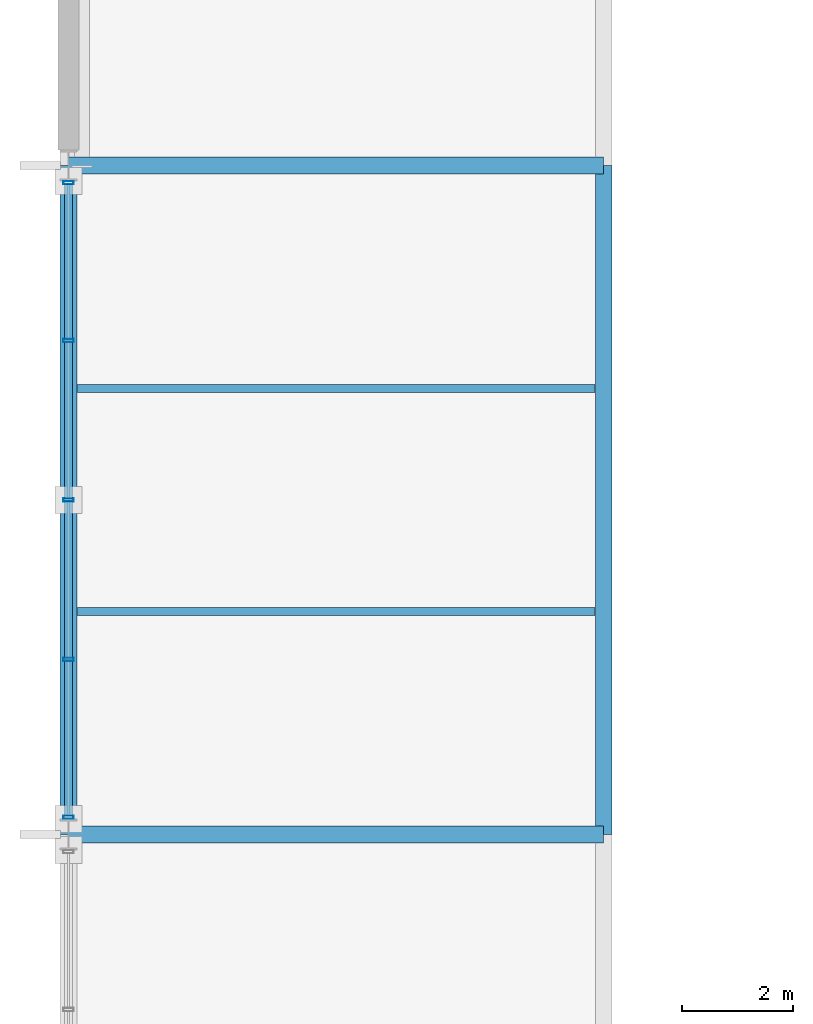
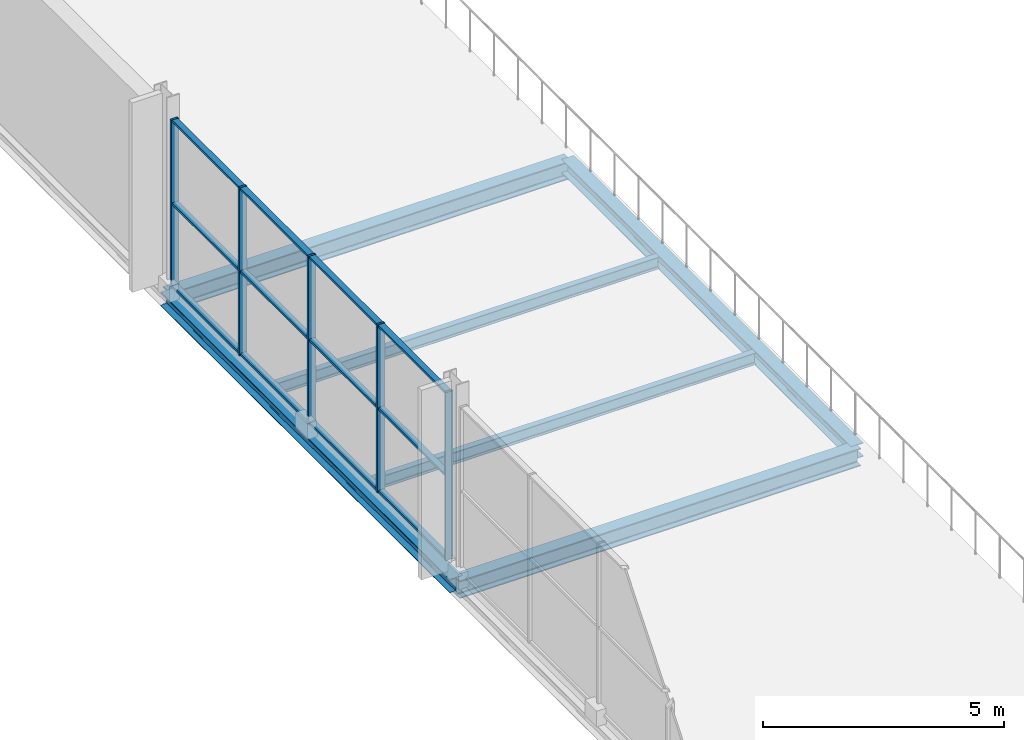
# One storey, part 68 of 159: 17 members, 6 beams, 1 element without a shape of its own.
"""IFC4 building model written with IfcOpenShell, lengths in metres."""

import ifcopenshell
import ifcopenshell.guid

model = None  # the IFC model being written
_history = None  # IfcOwnerHistory: only IFC2X3 demands one
_inside = {}  # id of a spatial element -> (the spatial element, [elements in it])
_under = {}  # id of a project, library or spatial element -> (it, [spatial elements below it])
_declared = {}  # id of a project -> (the project, [libraries it declares])
_typed = {}  # id of a type object -> (the type object, [elements of that type])
_made_of = {}  # id of a material, layer set ... -> (it, [elements and type objects made of it])


def new_model(schema):
    """Start an empty IFC model of exactly this schema.

    Asked for "IFC4X3", IfcOpenShell would pick the latest addendum, in which some entities
    have other attributes; the version numbers below select the first issue.
    IFC2X3 requires an IfcOwnerHistory on every rooted entity: one is made here for all.
    """
    global model, _history
    if schema == "IFC4X3":
        model = ifcopenshell.file(schema_version=(4, 3, 0, 0))
    else:
        model = ifcopenshell.file(schema=schema)
    _inside.clear()
    _under.clear()
    _declared.clear()
    _typed.clear()
    _made_of.clear()
    _history = None
    if model.schema == "IFC2X3":
        org = make("IfcOrganization", Name="unknown")
        user = make(
            "IfcPersonAndOrganization",
            ThePerson=make("IfcPerson", FamilyName="unknown"),
            TheOrganization=org,
        )
        app = make(
            "IfcApplication",
            ApplicationDeveloper=org,
            Version="unknown",
            ApplicationFullName="unknown",
            ApplicationIdentifier="unknown",
        )
        _history = make(
            "IfcOwnerHistory",
            OwningUser=user,
            OwningApplication=app,
            ChangeAction="ADDED",
            CreationDate=0,
        )
    return model


def make(cls, **values):
    """One entity of the class cls with the attributes given. An attribute that is None is left unset."""
    return model.create_entity(
        cls, **{name: value for name, value in values.items() if value is not None}
    )


def rooted(cls, **values):
    """An entity with a GlobalId (a new one), such as an element, a storey or a relation."""
    return make(cls, GlobalId=ifcopenshell.guid.new(), OwnerHistory=_history, **values)


def si_unit(unit_type, name, prefix=None):
    """IfcSIUnit, for example si_unit("LENGTHUNIT", "METRE", prefix="MILLI")."""
    return make("IfcSIUnit", UnitType=unit_type, Prefix=prefix, Name=name)


def assignment(units):
    """IfcUnitAssignment: the units of a project."""
    return None if units is None else make("IfcUnitAssignment", Units=units)


def point(xyz):
    """IfcCartesianPoint."""
    return None if xyz is None else make("IfcCartesianPoint", Coordinates=xyz)


def direction(xyz):
    """IfcDirection."""
    return None if xyz is None else make("IfcDirection", DirectionRatios=xyz)


def frame(location, z_axis=None, x_axis=None):
    """IfcAxis2Placement3D, a coordinate frame: its origin and axes. An axis left out is left unset."""
    return make(
        "IfcAxis2Placement3D",
        Location=point(location),
        Axis=direction(z_axis),
        RefDirection=direction(x_axis),
    )


def frame_2d(location, x_axis=None):
    """IfcAxis2Placement2D, a coordinate frame in the plane: its origin and x axis."""
    return make(
        "IfcAxis2Placement2D", Location=point(location), RefDirection=direction(x_axis)
    )


def origin():
    """The frame at (0, 0, 0) with its axes left unset."""
    return frame((0.0, 0.0, 0.0))


def origin_2d():
    """The frame at (0, 0) in the plane with its x axis left unset."""
    return frame_2d((0.0, 0.0))


def place(relative_to, where):
    """IfcLocalPlacement: puts the frame where relative to a parent placement (None: the world)."""
    return make(
        "IfcLocalPlacement", PlacementRelTo=relative_to, RelativePlacement=where
    )


def context(
    kind, dimensions, precision=None, world=None, true_north=None, identifier=None
):
    """IfcGeometricRepresentationContext, for example the 3D "Model" context."""
    return make(
        "IfcGeometricRepresentationContext",
        ContextIdentifier=identifier,
        ContextType=kind,
        CoordinateSpaceDimension=dimensions,
        Precision=precision,
        WorldCoordinateSystem=world,
        TrueNorth=true_north,
    )


def subcontext(parent, identifier, kind, view, scale=None):
    """IfcGeometricRepresentationSubContext, for example "Body" below "Model"."""
    return make(
        "IfcGeometricRepresentationSubContext",
        ContextIdentifier=identifier,
        ContextType=kind,
        ParentContext=parent,
        TargetScale=scale,
        TargetView=view,
    )


def project(units=None, contexts=None):
    """IfcProject with its units and contexts."""
    return rooted(
        "IfcProject",
        Name="project",
        RepresentationContexts=contexts,
        UnitsInContext=assignment(units),
    )


def spatial(cls, under=None, at=None, **own):
    """A site, building, storey or space (cls), placed at a placement, below another one or the project."""
    s = rooted(cls, ObjectPlacement=at, **own)
    if under is not None:
        _under.setdefault(under.id(), (under, []))[1].append(s)
    return s


def profile(cls, at=None, kind="AREA", **sizes):
    """A parametric profile (cls). Its sizes go by their IFC names, for example OverallWidth=200.0."""
    return make(cls, ProfileType=kind, Position=at, **sizes)


def hollow_rectangle(**sizes):
    """IfcRectangleHollowProfileDef."""
    return profile("IfcRectangleHollowProfileDef", **sizes)


def i_section(**sizes):
    """IfcIShapeProfileDef."""
    return profile("IfcIShapeProfileDef", **sizes)


def extrude(swept, where, along, depth):
    """IfcExtrudedAreaSolid: the profile swept, set in the frame where, extruded along a direction by depth."""
    return make(
        "IfcExtrudedAreaSolid",
        SweptArea=swept,
        Position=where,
        ExtrudedDirection=direction(along),
        Depth=depth,
    )


def shape(context_of_items, identifier, shape_type, items):
    """IfcShapeRepresentation: the items that make up one representation, for example the "Body"."""
    return make(
        "IfcShapeRepresentation",
        ContextOfItems=context_of_items,
        RepresentationIdentifier=identifier,
        RepresentationType=shape_type,
        Items=items,
    )


def material(Name=None, Category=None):
    """IfcMaterial."""
    return make("IfcMaterial", Name=Name, Category=Category)


def material_profile(
    of_material, cross_section, Name=None, Category=None, Priority=None
):
    """IfcMaterialProfile: a cross section and its material."""
    return make(
        "IfcMaterialProfile",
        Name=Name,
        Material=of_material,
        Profile=cross_section,
        Priority=Priority,
        Category=Category,
    )


def profile_set(profiles, Name=None, composite=None):
    """IfcMaterialProfileSet."""
    return make(
        "IfcMaterialProfileSet",
        Name=Name,
        MaterialProfiles=profiles,
        CompositeProfile=composite,
    )


def made_of(thing, what):
    """Note that an element or type object is made of a material, layer set ...; save() writes the relation."""
    if what is not None:
        _made_of.setdefault(what.id(), (what, []))[1].append(thing)
    return thing


def type_object(cls, material=None, **own):
    """A type object (cls), such as IfcWallType, which elements share."""
    return made_of(rooted(cls, **own), material)


def element(
    cls,
    number,
    at=None,
    inside=None,
    cuts=None,
    type_object=None,
    material=None,
    context=None,
    identifier="Body",
    shape_type=None,
    held_by="IfcProductDefinitionShape",
    body=None,
    shapes=None,
    **own,
):
    """One element of the class cls, such as IfcWall. Its Tag is "e" and its number.

    at: its placement. inside: the storey or other place that contains it. cuts: it is an
    opening in that element (IfcRelVoidsElement). A single representation is given by context,
    identifier, shape_type and body (its items); several are given by shapes. held_by: the class
    of the entity that holds the representations. save() writes the other relations.
    """
    e = rooted(cls, Tag="e%d" % number, ObjectPlacement=at, **own)
    if body is not None:
        shapes = [shape(context, identifier, shape_type, body)]
    if shapes is not None:
        e.Representation = make(held_by, Representations=shapes)
    if inside is not None:
        _inside.setdefault(inside.id(), (inside, []))[1].append(e)
    if cuts is not None:
        rooted(
            "IfcRelVoidsElement", RelatingBuildingElement=cuts, RelatedOpeningElement=e
        )
    if type_object is not None:
        _typed.setdefault(type_object.id(), (type_object, []))[1].append(e)
    return made_of(e, material)


def aggregate(whole, parts):
    """IfcRelAggregates: a whole, such as a stair, and the parts it consists of."""
    return rooted("IfcRelAggregates", RelatingObject=whole, RelatedObjects=parts)


def save(model, path):
    """Write the relations noted so far, then the file.

    IfcRelAggregates (storeys below a building ...), IfcRelContainedInSpatialStructure (elements
    in a storey), IfcRelDefinesByType, IfcRelAssociatesMaterial and IfcRelDeclares: one each for
    every whole, place, type object, material and project.
    """
    for whole, parts in _under.values():
        aggregate(whole, parts)
    for where, things in _inside.values():
        rooted(
            "IfcRelContainedInSpatialStructure",
            RelatedElements=things,
            RelatingStructure=where,
        )
    for kind, things in _typed.values():
        rooted("IfcRelDefinesByType", RelatedObjects=things, RelatingType=kind)
    for what, things in _made_of.values():
        rooted("IfcRelAssociatesMaterial", RelatedObjects=things, RelatingMaterial=what)
    for by, libraries in _declared.values():
        rooted("IfcRelDeclares", RelatingContext=by, RelatedDefinitions=libraries)
    model.write(path)


model = new_model("IFC4")

# Units and contexts
model_context = context("Model", 3, precision=1e-05, world=origin(), true_north=direction((0.0, 1.0)))
body_context = subcontext(model_context, "Body", "Model", "MODEL_VIEW")
ifc_project = project(units=[si_unit("LENGTHUNIT", "METRE"), si_unit("AREAUNIT", "SQUARE_METRE"), si_unit("VOLUMEUNIT", "CUBIC_METRE"), si_unit("PLANEANGLEUNIT", "RADIAN"), si_unit("MASSUNIT", "GRAM", prefix="KILO")], contexts=[model_context])

# Site, building, storey
site_placement = place(None, origin())
site = spatial("IfcSite", under=ifc_project, at=site_placement, CompositionType="ELEMENT")
building_placement = place(site_placement, origin())
building = spatial("IfcBuilding", under=site, at=building_placement, Name="Merenkruunu Market Hall", CompositionType="ELEMENT")
storey_placement = place(building_placement, frame((0.0, 0.0, 5.39990234375)))
storey = spatial("IfcBuildingStorey", under=building, at=storey_placement, Name="L01", CompositionType="ELEMENT", Elevation=5.39990234375)

# Curtain wall, members
ifc_material_1 = material(Name="Powder-coated aluminium", Category="aluminium")
curtain_wall_type = type_object("IfcCurtainWallType", Name="Glazed Curtain Wall CW02", PredefinedType="USERDEFINED", material=ifc_material_1)
curtain_wall_placement = place(storey_placement, origin())
curtain_wall = element("IfcCurtainWall", 1, at=curtain_wall_placement, inside=storey, type_object=curtain_wall_type, Name="CW-L01-CWM02-014", ObjectType="GLAZED_FACADE", PredefinedType="USERDEFINED")
ifc_material_profile_1 = material_profile(ifc_material_1, hollow_rectangle(XDim=0.06005859375, YDim=0.179931640625, WallThickness=0.00390625, at=origin_2d()), Name="ALU 60x180x4")
ifc_profile_set_1 = profile_set([ifc_material_profile_1], Name="Powder-coated aluminium")
member_type_1 = type_object("IfcMemberType", Name="Curtain Wall Mullion CWM02", PredefinedType="MULLION", material=ifc_profile_set_1)
member_1_placement = place(storey_placement, frame((0.0, 63.909912109375, 0.0), z_axis=(0.0, 0.0, 1.0), x_axis=(0.0, 1.0, 0.0)))
member_1 = element("IfcMember", 2, at=member_1_placement, type_object=member_type_1, Name="CW02 mullion 1", PredefinedType="MULLION", context=body_context, shape_type="SweptSolid", body=[
    extrude(hollow_rectangle(XDim=0.06005859375, YDim=0.179931640625, WallThickness=0.00390625, at=origin_2d()), origin(), (0.0, 0.0, 1.0), 4.25),
])
member_2_placement = place(storey_placement, frame((0.0, 66.739990234375, 0.0), z_axis=(0.0, 0.0, 1.0), x_axis=(0.0, 1.0, 0.0)))
member_2 = element("IfcMember", 3, at=member_2_placement, type_object=member_type_1, Name="CW02 mullion 2", PredefinedType="MULLION", context=body_context, shape_type="SweptSolid", body=[
    extrude(hollow_rectangle(XDim=0.06005859375, YDim=0.179931640625, WallThickness=0.00390625, at=origin_2d()), origin(), (0.0, 0.0, 1.0), 4.25),
])
member_3_placement = place(storey_placement, frame((0.0, 69.60009765625, 0.0), z_axis=(0.0, 0.0, 1.0), x_axis=(0.0, 1.0, 0.0)))
member_3 = element("IfcMember", 4, at=member_3_placement, type_object=member_type_1, Name="CW02 mullion 3", PredefinedType="MULLION", context=body_context, shape_type="SweptSolid", body=[
    extrude(hollow_rectangle(XDim=0.06005859375, YDim=0.179931640625, WallThickness=0.00390625, at=origin_2d()), origin(), (0.0, 0.0, 1.0), 4.25),
])
member_4_placement = place(storey_placement, frame((0.0, 72.4599609375, 0.0), z_axis=(0.0, 0.0, 1.0), x_axis=(0.0, 1.0, 0.0)))
member_4 = element("IfcMember", 5, at=member_4_placement, type_object=member_type_1, Name="CW02 mullion 4", PredefinedType="MULLION", context=body_context, shape_type="SweptSolid", body=[
    extrude(hollow_rectangle(XDim=0.06005859375, YDim=0.179931640625, WallThickness=0.00390625, at=origin_2d()), origin(), (0.0, 0.0, 1.0), 4.25),
])
member_5_placement = place(storey_placement, frame((0.0, 75.2900390625, 0.0), z_axis=(0.0, 0.0, 1.0), x_axis=(0.0, 1.0, 0.0)))
member_5 = element("IfcMember", 6, at=member_5_placement, type_object=member_type_1, Name="CW02 mullion 5", PredefinedType="MULLION", context=body_context, shape_type="SweptSolid", body=[
    extrude(hollow_rectangle(XDim=0.06005859375, YDim=0.179931640625, WallThickness=0.00390625, at=origin_2d()), origin(), (0.0, 0.0, 1.0), 4.25),
])
ifc_material_profile_2 = material_profile(ifc_material_1, hollow_rectangle(XDim=0.06005859375, YDim=0.139892578125, WallThickness=0.00390625, at=origin_2d()), Name="ALU 60x140x4")
ifc_profile_set_2 = profile_set([ifc_material_profile_2], Name="Powder-coated aluminium")
member_type_2 = type_object("IfcMemberType", Name="Curtain Wall Transom CWT02", PredefinedType="USERDEFINED", material=ifc_profile_set_2)
member_6_placement = place(storey_placement, frame((0.0, 63.93994140625, 0.030029296875), z_axis=(0.0, 1.0, 0.0), x_axis=(0.0, 0.0, 1.0)))
member_6 = element("IfcMember", 7, at=member_6_placement, type_object=member_type_2, Name="CW02 transom 1.1", ObjectType="TRANSOM", PredefinedType="USERDEFINED", context=body_context, shape_type="SweptSolid", body=[
    extrude(hollow_rectangle(XDim=0.06005859375, YDim=0.139892578125, WallThickness=0.00390625, at=origin_2d()), origin(), (0.0, 0.0, 1.0), 2.77001953125),
])
member_7_placement = place(storey_placement, frame((0.0, 63.93994140625, 2.125), z_axis=(0.0, 1.0, 0.0), x_axis=(0.0, 0.0, 1.0)))
member_7 = element("IfcMember", 8, at=member_7_placement, type_object=member_type_2, Name="CW02 transom 1.2", ObjectType="TRANSOM", PredefinedType="USERDEFINED", context=body_context, shape_type="SweptSolid", body=[
    extrude(hollow_rectangle(XDim=0.06005859375, YDim=0.139892578125, WallThickness=0.00390625, at=origin_2d()), origin(), (0.0, 0.0, 1.0), 2.77001953125),
])
member_8_placement = place(storey_placement, frame((0.0, 63.93994140625, 4.22021484375), z_axis=(0.0, 1.0, 0.0), x_axis=(0.0, 0.0, 1.0)))
member_8 = element("IfcMember", 9, at=member_8_placement, type_object=member_type_2, Name="CW02 transom 1.3", ObjectType="TRANSOM", PredefinedType="USERDEFINED", context=body_context, shape_type="SweptSolid", body=[
    extrude(hollow_rectangle(XDim=0.06005859375, YDim=0.139892578125, WallThickness=0.00390625, at=origin_2d()), origin(), (0.0, 0.0, 1.0), 2.77001953125),
])
member_9_placement = place(storey_placement, frame((0.0, 66.77001953125, 0.030029296875), z_axis=(0.0, 1.0, 0.0), x_axis=(0.0, 0.0, 1.0)))
member_9 = element("IfcMember", 10, at=member_9_placement, type_object=member_type_2, Name="CW02 transom 2.1", ObjectType="TRANSOM", PredefinedType="USERDEFINED", context=body_context, shape_type="SweptSolid", body=[
    extrude(hollow_rectangle(XDim=0.06005859375, YDim=0.139892578125, WallThickness=0.00390625, at=origin_2d()), origin(), (0.0, 0.0, 1.0), 2.800048828125),
])
member_10_placement = place(storey_placement, frame((0.0, 66.77001953125, 2.125), z_axis=(0.0, 1.0, 0.0), x_axis=(0.0, 0.0, 1.0)))
member_10 = element("IfcMember", 11, at=member_10_placement, type_object=member_type_2, Name="CW02 transom 2.2", ObjectType="TRANSOM", PredefinedType="USERDEFINED", context=body_context, shape_type="SweptSolid", body=[
    extrude(hollow_rectangle(XDim=0.06005859375, YDim=0.139892578125, WallThickness=0.00390625, at=origin_2d()), origin(), (0.0, 0.0, 1.0), 2.800048828125),
])
member_11_placement = place(storey_placement, frame((0.0, 66.77001953125, 4.22021484375), z_axis=(0.0, 1.0, 0.0), x_axis=(0.0, 0.0, 1.0)))
member_11 = element("IfcMember", 12, at=member_11_placement, type_object=member_type_2, Name="CW02 transom 2.3", ObjectType="TRANSOM", PredefinedType="USERDEFINED", context=body_context, shape_type="SweptSolid", body=[
    extrude(hollow_rectangle(XDim=0.06005859375, YDim=0.139892578125, WallThickness=0.00390625, at=origin_2d()), origin(), (0.0, 0.0, 1.0), 2.800048828125),
])
member_12_placement = place(storey_placement, frame((0.0, 69.6298828125, 0.030029296875), z_axis=(0.0, 1.0, 0.0), x_axis=(0.0, 0.0, 1.0)))
member_12 = element("IfcMember", 13, at=member_12_placement, type_object=member_type_2, Name="CW02 transom 3.1", ObjectType="TRANSOM", PredefinedType="USERDEFINED", context=body_context, shape_type="SweptSolid", body=[
    extrude(hollow_rectangle(XDim=0.06005859375, YDim=0.139892578125, WallThickness=0.00390625, at=origin_2d()), origin(), (0.0, 0.0, 1.0), 2.800048828125),
])
member_13_placement = place(storey_placement, frame((0.0, 69.6298828125, 2.125), z_axis=(0.0, 1.0, 0.0), x_axis=(0.0, 0.0, 1.0)))
member_13 = element("IfcMember", 14, at=member_13_placement, type_object=member_type_2, Name="CW02 transom 3.2", ObjectType="TRANSOM", PredefinedType="USERDEFINED", context=body_context, shape_type="SweptSolid", body=[
    extrude(hollow_rectangle(XDim=0.06005859375, YDim=0.139892578125, WallThickness=0.00390625, at=origin_2d()), origin(), (0.0, 0.0, 1.0), 2.800048828125),
])
member_14_placement = place(storey_placement, frame((0.0, 69.6298828125, 4.22021484375), z_axis=(0.0, 1.0, 0.0), x_axis=(0.0, 0.0, 1.0)))
member_14 = element("IfcMember", 15, at=member_14_placement, type_object=member_type_2, Name="CW02 transom 3.3", ObjectType="TRANSOM", PredefinedType="USERDEFINED", context=body_context, shape_type="SweptSolid", body=[
    extrude(hollow_rectangle(XDim=0.06005859375, YDim=0.139892578125, WallThickness=0.00390625, at=origin_2d()), origin(), (0.0, 0.0, 1.0), 2.800048828125),
])
member_15_placement = place(storey_placement, frame((0.0, 72.489990234375, 0.030029296875), z_axis=(0.0, 1.0, 0.0), x_axis=(0.0, 0.0, 1.0)))
member_15 = element("IfcMember", 16, at=member_15_placement, type_object=member_type_2, Name="CW02 transom 4.1", ObjectType="TRANSOM", PredefinedType="USERDEFINED", context=body_context, shape_type="SweptSolid", body=[
    extrude(hollow_rectangle(XDim=0.06005859375, YDim=0.139892578125, WallThickness=0.00390625, at=origin_2d()), origin(), (0.0, 0.0, 1.0), 2.77001953125),
])
member_16_placement = place(storey_placement, frame((0.0, 72.489990234375, 2.125), z_axis=(0.0, 1.0, 0.0), x_axis=(0.0, 0.0, 1.0)))
member_16 = element("IfcMember", 17, at=member_16_placement, type_object=member_type_2, Name="CW02 transom 4.2", ObjectType="TRANSOM", PredefinedType="USERDEFINED", context=body_context, shape_type="SweptSolid", body=[
    extrude(hollow_rectangle(XDim=0.06005859375, YDim=0.139892578125, WallThickness=0.00390625, at=origin_2d()), origin(), (0.0, 0.0, 1.0), 2.77001953125),
])
member_17_placement = place(storey_placement, frame((0.0, 72.489990234375, 4.22021484375), z_axis=(0.0, 1.0, 0.0), x_axis=(0.0, 0.0, 1.0)))
member_17 = element("IfcMember", 18, at=member_17_placement, type_object=member_type_2, Name="CW02 transom 4.3", ObjectType="TRANSOM", PredefinedType="USERDEFINED", context=body_context, shape_type="SweptSolid", body=[
    extrude(hollow_rectangle(XDim=0.06005859375, YDim=0.139892578125, WallThickness=0.00390625, at=origin_2d()), origin(), (0.0, 0.0, 1.0), 2.77001953125),
])
aggregate(curtain_wall, [member_1, member_2, member_3, member_4, member_5, member_6, member_7, member_8, member_9, member_10, member_11, member_12, member_13, member_14, member_15, member_16, member_17])

# Beams
ifc_material_2 = material(Name="Steel S355J2", Category="steel")
ifc_material_profile_3 = material_profile(ifc_material_2, i_section(OverallWidth=0.300048828125, OverallDepth=0.449951171875, WebThickness=0.013916015625, FlangeThickness=0.02587890625, FilletRadius=0.027099609375, at=origin_2d()), Name="HEB 450")
ifc_profile_set_3 = profile_set([ifc_material_profile_3], Name="Steel S355J2")
beam_type_1 = type_object("IfcBeamType", Name="Primary Floor Girder B03", PredefinedType="BEAM", material=ifc_profile_set_3)
for number, where, z_axis, x_axis, name in (
    (19, (0.0, 63.60009765625, -0.5048828125), (1.0, 0.0, 0.0), (0.0, 1.0, 0.0), "BM-L01-B03-0526"),
    (20, (0.0, 75.60009765625, -0.5048828125), (1.0, 0.0, 0.0), (0.0, 1.0, 0.0), "BM-L01-B03-0533"),
):
    element("IfcBeam", number, at=place(storey_placement, frame(where, z_axis=z_axis, x_axis=x_axis)), inside=storey, type_object=beam_type_1, Name=name, PredefinedType="BEAM", context=body_context, shape_type="SweptSolid", body=[
        extrude(i_section(OverallWidth=0.300048828125, OverallDepth=0.449951171875, WebThickness=0.013916015625, FlangeThickness=0.02587890625, FilletRadius=0.027099609375, at=origin_2d()), origin(), (0.0, 0.0, 1.0), 9.60009765625),
    ])
ifc_material_profile_4 = material_profile(ifc_material_2, i_section(OverallWidth=0.300048828125, OverallDepth=0.35009765625, WebThickness=0.010009765625, FlangeThickness=0.017578125, FilletRadius=0.027099609375, at=origin_2d()), Name="HEA 360")
ifc_profile_set_4 = profile_set([ifc_material_profile_4], Name="Steel S355J2")
beam_type_2 = type_object("IfcBeamType", Name="Primary Floor Girder B08", PredefinedType="BEAM", material=ifc_profile_set_4)
for number, where, z_axis, x_axis, name in (
    (21, (0.0, 63.60009765625, -0.454833984375), (0.0, 1.0, 0.0), (-1.0, 0.0, 0.0), "BM-L01-B08-0556"),
    (22, (9.60009765625, 63.60009765625, -0.454833984375), (0.0, 1.0, 0.0), (-1.0, 0.0, 0.0), "BM-L01-B08-0564"),
):
    element("IfcBeam", number, at=place(storey_placement, frame(where, z_axis=z_axis, x_axis=x_axis)), inside=storey, type_object=beam_type_2, Name=name, PredefinedType="BEAM", context=body_context, shape_type="SweptSolid", body=[
        extrude(i_section(OverallWidth=0.300048828125, OverallDepth=0.35009765625, WebThickness=0.010009765625, FlangeThickness=0.017578125, FilletRadius=0.027099609375, at=origin_2d()), origin(), (0.0, 0.0, 1.0), 12.0),
    ])
ifc_material_profile_5 = material_profile(ifc_material_2, i_section(OverallWidth=0.14990234375, OverallDepth=0.300048828125, WebThickness=0.007080078125, FlangeThickness=0.0107421875, FilletRadius=0.014892578125, at=origin_2d()), Name="IPE 300")
ifc_profile_set_5 = profile_set([ifc_material_profile_5], Name="Steel S355J2")
beam_type_3 = type_object("IfcBeamType", Name="Secondary Floor Joist J04", PredefinedType="JOIST", material=ifc_profile_set_5)
for number, where, z_axis, x_axis, name in (
    (23, (0.153076171875, 67.60009765625, -0.429931640625), (1.0, 0.0, 0.0), (0.0, 1.0, 0.0), "BM-L01-J04-0654"),
    (24, (0.153076171875, 71.60009765625, -0.429931640625), (1.0, 0.0, 0.0), (0.0, 1.0, 0.0), "BM-L01-J04-0655"),
):
    element("IfcBeam", number, at=place(storey_placement, frame(where, z_axis=z_axis, x_axis=x_axis)), inside=storey, type_object=beam_type_3, Name=name, PredefinedType="JOIST", context=body_context, shape_type="SweptSolid", body=[
        extrude(i_section(OverallWidth=0.14990234375, OverallDepth=0.300048828125, WebThickness=0.007080078125, FlangeThickness=0.0107421875, FilletRadius=0.014892578125, at=origin_2d()), origin(), (0.0, 0.0, 1.0), 9.2939453125),
    ])

save(model, "model.ifc")
